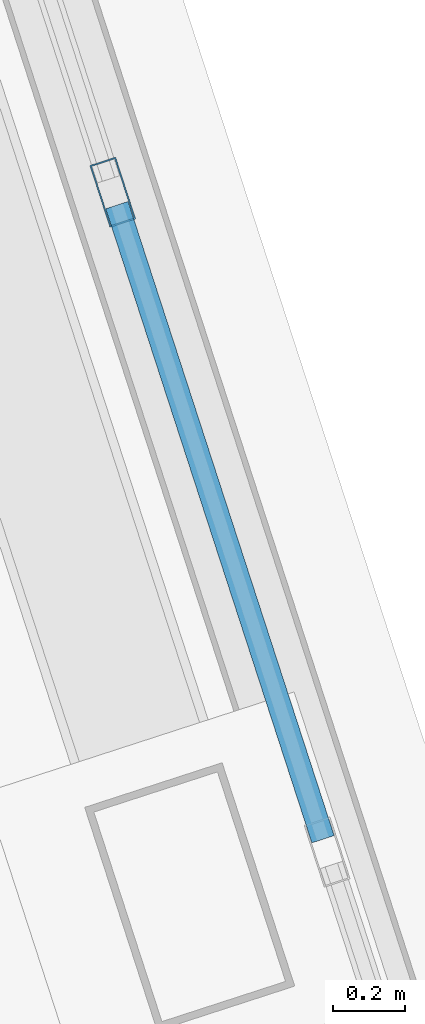
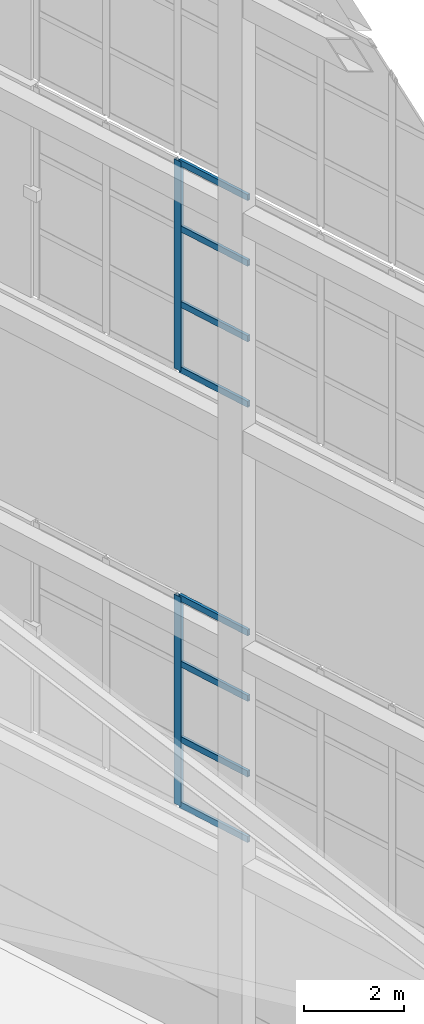
# One storey, part 36 of 56: 10 members, 2 elements without a shape of their own.
"""IFC4 building model written with IfcOpenShell, lengths in metres."""

from ifc_helpers import new_model, si_unit, direction, frame, origin, origin_2d, place, context, subcontext, project, spatial, hollow_rectangle, extrude, material, layer, layer_set, material_profile, profile_set, type_object, element, aggregate, save


model = new_model("IFC4")

# Units and contexts
model_context = context("Model", 3, precision=1e-05, world=origin(), true_north=direction((0.0, 1.0)))
body_context = subcontext(model_context, "Body", "Model", "MODEL_VIEW")
ifc_project = project(units=[si_unit("LENGTHUNIT", "METRE"), si_unit("AREAUNIT", "SQUARE_METRE"), si_unit("VOLUMEUNIT", "CUBIC_METRE"), si_unit("PLANEANGLEUNIT", "RADIAN"), si_unit("MASSUNIT", "GRAM", prefix="KILO")], contexts=[model_context])

# Site, building, storey
site_placement = place(None, origin())
site = spatial("IfcSite", under=ifc_project, at=site_placement, CompositionType="ELEMENT")
building_placement = place(site_placement, origin())
building = spatial("IfcBuilding", under=site, at=building_placement, Name="Qiaolan Cultural Towers", CompositionType="ELEMENT")
storey_placement = place(building_placement, frame((0.0, 0.0, 250.39990234375)))
storey = spatial("IfcBuildingStorey", under=building, at=storey_placement, Name="L68", CompositionType="ELEMENT", Elevation=250.39990234375)

# Curtain wall, member
ifc_material_1 = material(Name="Unitized Anodized Aluminium Curtain Wall System", Category="aluminium")
ifc_layer = layer(ifc_material_1, 0.199951171875)
ifc_layer_set = layer_set([ifc_layer], Name="Unitized Anodized Aluminium Curtain Wall System")
curtain_wall_type = type_object("IfcCurtainWallType", Name="CWS-06", PredefinedType="NOTDEFINED", material=ifc_layer_set)
curtain_wall_1_placement = place(storey_placement, origin())
curtain_wall_1 = element("IfcCurtainWall", 1, at=curtain_wall_1_placement, inside=storey, type_object=curtain_wall_type, Name="T2 Crown Tier 2 Fritted Screen Curtain Wall 3", PredefinedType="NOTDEFINED")
ifc_material_2 = material(Name="Extruded Aluminium 6063-T6", Category="aluminium")
ifc_material_profile_1 = material_profile(ifc_material_2, hollow_rectangle(XDim=0.074951171875, YDim=0.179931640625, WallThickness=0.00390625, at=origin_2d()), Name="CWM-180x75x4")
ifc_profile_set_1 = profile_set([ifc_material_profile_1], Name="Extruded Aluminium 6063-T6")
member_type_1 = type_object("IfcMemberType", Name="CWS-06-MUL", PredefinedType="MULLION", material=ifc_profile_set_1)
member_1_placement = place(storey_placement, frame((102.578857421875, 40.10595703125, 5.400146484375), z_axis=(0.0, 0.0, 1.0), x_axis=(-0.951056535512, -0.309016935232, 0.0)))
member_1 = element("IfcMember", 2, at=member_1_placement, type_object=member_type_1, Name="CW-6 mullion 5", PredefinedType="MULLION", context=body_context, shape_type="SweptSolid", body=[
    extrude(hollow_rectangle(XDim=0.074951171875, YDim=0.179931640625, WallThickness=0.00390625, at=origin_2d()), origin(), (0.0, 0.0, 1.0), 5.099853515625),
])

curtain_wall_2_placement = place(storey_placement, origin())
curtain_wall_2 = element("IfcCurtainWall", 3, at=curtain_wall_2_placement, inside=storey, type_object=curtain_wall_type, Name="T2 Crown Tier 4 Fritted Screen Curtain Wall 3", PredefinedType="NOTDEFINED")
member_2_placement = place(storey_placement, frame((102.578857421875, 40.10595703125, 16.0), z_axis=(0.0, 0.0, 1.0), x_axis=(-0.951056535512, -0.309016935232, 0.0)))
member_2 = element("IfcMember", 4, at=member_2_placement, type_object=member_type_1, Name="CW-6 mullion 5", PredefinedType="MULLION", context=body_context, shape_type="SweptSolid", body=[
    extrude(hollow_rectangle(XDim=0.074951171875, YDim=0.179931640625, WallThickness=0.00390625, at=origin_2d()), origin(), (0.0, 0.0, 1.0), 5.10009765625),
])

# Member
ifc_material_3 = material(Name="Extruded Aluminium 6063-T6", Category="aluminium")
ifc_material_profile_2 = material_profile(ifc_material_3, hollow_rectangle(XDim=0.06494140625, YDim=0.14990234375, WallThickness=0.00390625, at=origin_2d()), Name="CWT-150x65x4")
ifc_profile_set_2 = profile_set([ifc_material_profile_2], Name="Extruded Aluminium 6063-T6")
member_type_2 = type_object("IfcMemberType", Name="CWS-06-TRN", PredefinedType="USERDEFINED", material=ifc_profile_set_2)
member_3_placement = place(storey_placement, frame((103.16064453125, 38.3154296875, 5.4326171875), z_axis=(-0.309074105406, 0.951037957901, 0.0), x_axis=(-0.951037957901, -0.309074105406, 0.0)))
member_3 = element("IfcMember", 5, at=member_3_placement, type_object=member_type_2, Name="CW-6 transom 4.1", ObjectType="TRANSOM", PredefinedType="USERDEFINED", context=body_context, shape_type="SweptSolid", body=[
    extrude(hollow_rectangle(XDim=0.06494140625, YDim=0.14990234375, WallThickness=0.00390625, at=origin_2d()), origin(), (0.0, 0.0, 1.0), 1.84521484375),
])

member_4_placement = place(storey_placement, frame((103.16064453125, 38.3154296875, 7.030029296875), z_axis=(-0.309074105406, 0.951037957901, 0.0), x_axis=(-0.951037957901, -0.309074105406, 0.0)))
member_4 = element("IfcMember", 6, at=member_4_placement, type_object=member_type_2, Name="CW-6 transom 4.2", ObjectType="TRANSOM", PredefinedType="USERDEFINED", context=body_context, shape_type="SweptSolid", body=[
    extrude(hollow_rectangle(XDim=0.06494140625, YDim=0.14990234375, WallThickness=0.00390625, at=origin_2d()), origin(), (0.0, 0.0, 1.0), 1.84521484375),
])

member_5_placement = place(storey_placement, frame((103.16064453125, 38.3154296875, 8.8701171875), z_axis=(-0.309074105406, 0.951037957901, 0.0), x_axis=(-0.951037957901, -0.309074105406, 0.0)))
member_5 = element("IfcMember", 7, at=member_5_placement, type_object=member_type_2, Name="CW-6 transom 4.3", ObjectType="TRANSOM", PredefinedType="USERDEFINED", context=body_context, shape_type="SweptSolid", body=[
    extrude(hollow_rectangle(XDim=0.06494140625, YDim=0.14990234375, WallThickness=0.00390625, at=origin_2d()), origin(), (0.0, 0.0, 1.0), 1.84521484375),
])

member_6_placement = place(storey_placement, frame((103.16064453125, 38.3154296875, 10.467529296875), z_axis=(-0.309074105406, 0.951037957901, 0.0), x_axis=(-0.951037957901, -0.309074105406, 0.0)))
member_6 = element("IfcMember", 8, at=member_6_placement, type_object=member_type_2, Name="CW-6 transom 4.4", ObjectType="TRANSOM", PredefinedType="USERDEFINED", context=body_context, shape_type="SweptSolid", body=[
    extrude(hollow_rectangle(XDim=0.06494140625, YDim=0.14990234375, WallThickness=0.00390625, at=origin_2d()), origin(), (0.0, 0.0, 1.0), 1.84521484375),
])

aggregate(curtain_wall_1, [member_1, member_3, member_4, member_5, member_6])

member_7_placement = place(storey_placement, frame((103.16064453125, 38.3154296875, 16.03271484375), z_axis=(-0.309074105406, 0.951037957901, 0.0), x_axis=(-0.951037957901, -0.309074105406, 0.0)))
member_7 = element("IfcMember", 9, at=member_7_placement, type_object=member_type_2, Name="CW-6 transom 4.1", ObjectType="TRANSOM", PredefinedType="USERDEFINED", context=body_context, shape_type="SweptSolid", body=[
    extrude(hollow_rectangle(XDim=0.06494140625, YDim=0.14990234375, WallThickness=0.00390625, at=origin_2d()), origin(), (0.0, 0.0, 1.0), 1.84521484375),
])

member_8_placement = place(storey_placement, frame((103.16064453125, 38.3154296875, 17.630126953125), z_axis=(-0.309074105406, 0.951037957901, 0.0), x_axis=(-0.951037957901, -0.309074105406, 0.0)))
member_8 = element("IfcMember", 10, at=member_8_placement, type_object=member_type_2, Name="CW-6 transom 4.2", ObjectType="TRANSOM", PredefinedType="USERDEFINED", context=body_context, shape_type="SweptSolid", body=[
    extrude(hollow_rectangle(XDim=0.06494140625, YDim=0.14990234375, WallThickness=0.00390625, at=origin_2d()), origin(), (0.0, 0.0, 1.0), 1.84521484375),
])

member_9_placement = place(storey_placement, frame((103.16064453125, 38.3154296875, 19.47021484375), z_axis=(-0.309074105406, 0.951037957901, 0.0), x_axis=(-0.951037957901, -0.309074105406, 0.0)))
member_9 = element("IfcMember", 11, at=member_9_placement, type_object=member_type_2, Name="CW-6 transom 4.3", ObjectType="TRANSOM", PredefinedType="USERDEFINED", context=body_context, shape_type="SweptSolid", body=[
    extrude(hollow_rectangle(XDim=0.06494140625, YDim=0.14990234375, WallThickness=0.00390625, at=origin_2d()), origin(), (0.0, 0.0, 1.0), 1.84521484375),
])

member_10_placement = place(storey_placement, frame((103.16064453125, 38.3154296875, 21.067626953125), z_axis=(-0.309074105406, 0.951037957901, 0.0), x_axis=(-0.951037957901, -0.309074105406, 0.0)))
member_10 = element("IfcMember", 12, at=member_10_placement, type_object=member_type_2, Name="CW-6 transom 4.4", ObjectType="TRANSOM", PredefinedType="USERDEFINED", context=body_context, shape_type="SweptSolid", body=[
    extrude(hollow_rectangle(XDim=0.06494140625, YDim=0.14990234375, WallThickness=0.00390625, at=origin_2d()), origin(), (0.0, 0.0, 1.0), 1.84521484375),
])

aggregate(curtain_wall_2, [member_2, member_7, member_8, member_9, member_10])

save(model, "model.ifc")
